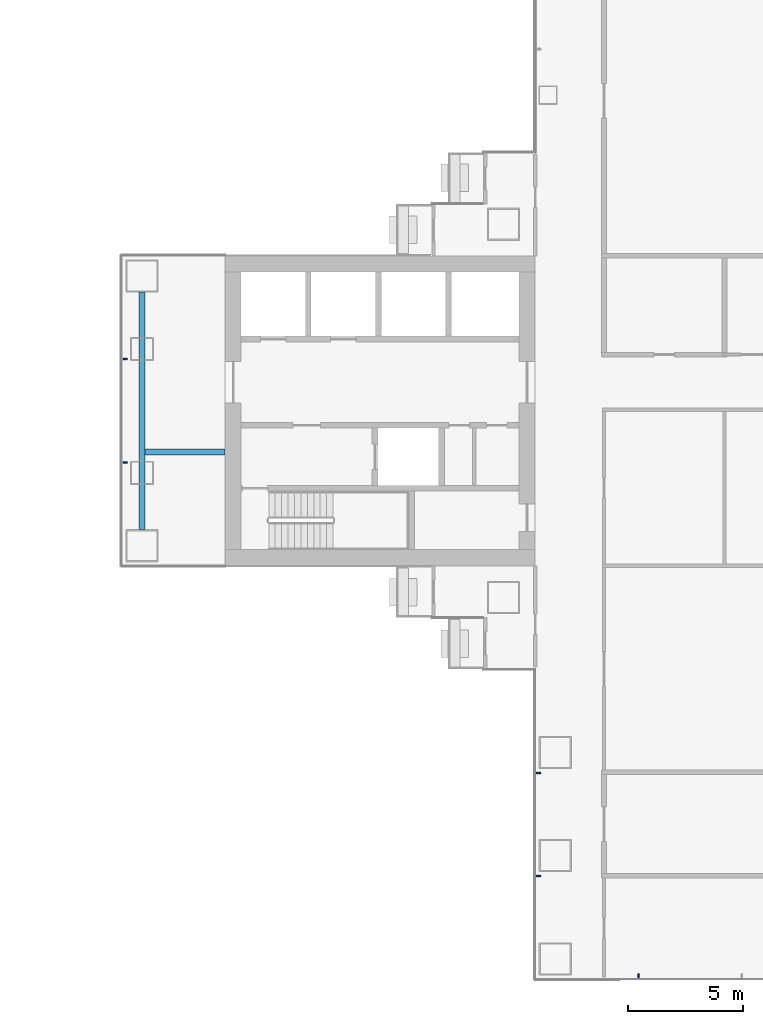
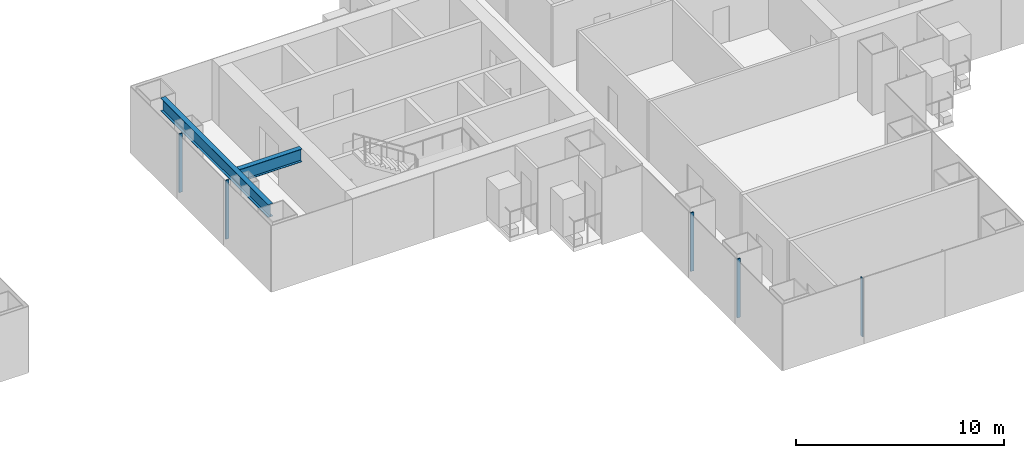
# One storey, part 7 of 22: 5 members, 2 beams, 3 elements without a shape of their own.
"""IFC4 building model written with IfcOpenShell, lengths in metres."""

from ifc_helpers import new_model, si_unit, direction, frame, origin, origin_2d, place, context, subcontext, project, spatial, rectangle, i_section, extrude, material, layer, layer_set, material_profile, profile_set, type_object, element, aggregate, save


model = new_model("IFC4")

# Units and contexts
model_context = context("Model", 3, precision=1e-05, world=origin(), true_north=direction((0.0, 1.0)))
body_context = subcontext(model_context, "Body", "Model", "MODEL_VIEW")
ifc_project = project(units=[si_unit("LENGTHUNIT", "METRE"), si_unit("AREAUNIT", "SQUARE_METRE"), si_unit("VOLUMEUNIT", "CUBIC_METRE"), si_unit("PLANEANGLEUNIT", "RADIAN"), si_unit("MASSUNIT", "GRAM", prefix="KILO")], contexts=[model_context])

# Site, building, storey
site_placement = place(None, origin())
site = spatial("IfcSite", under=ifc_project, at=site_placement, CompositionType="ELEMENT")
building_placement = place(site_placement, origin())
building = spatial("IfcBuilding", under=site, at=building_placement, Name="Shamsa Quay Exchange Towers", CompositionType="ELEMENT")
storey_placement = place(building_placement, frame((0.0, 0.0, 69.300048828125)))
storey = spatial("IfcBuildingStorey", under=building, at=storey_placement, Name="L15", CompositionType="ELEMENT", Elevation=69.300048828125)

# Curtain wall, members
ifc_material_1 = material(Name="Aluminium EN AW-6063 T6, black anodised", Category="aluminium")
ifc_layer = layer(ifc_material_1, 0.280029296875)
ifc_layer_set = layer_set([ifc_layer], Name="CW-1 UNITISED VISION GLASS")
curtain_wall_type = type_object("IfcCurtainWallType", Name="CW-1 UNITISED VISION GLASS", PredefinedType="NOTDEFINED", material=ifc_layer_set)
curtain_wall_1_placement = place(storey_placement, origin())
curtain_wall_1 = element("IfcCurtainWall", 1, at=curtain_wall_1_placement, inside=storey, type_object=curtain_wall_type, Name="CW1 T2-END-V+ L15", PredefinedType="NOTDEFINED")
ifc_material_profile_1 = material_profile(ifc_material_1, rectangle(XDim=0.179931640625, YDim=0.06005859375, at=origin_2d()), Name="MU60x180")
ifc_profile_set_1 = profile_set([ifc_material_profile_1], Name="Aluminium EN AW-6063 T6, black anodised")
member_type = type_object("IfcMemberType", Name="CW1 MULLION 60x180", PredefinedType="MULLION", material=ifc_profile_set_1)
member_1_placement = place(storey_placement, frame((9.14990234375, 2.25, 0.0)))
member_1 = element("IfcMember", 2, at=member_1_placement, type_object=member_type, Name="CW1 mullion", PredefinedType="MULLION", context=body_context, shape_type="SweptSolid", body=[
    extrude(rectangle(XDim=0.179931640625, YDim=0.06005859375, at=origin_2d()), origin(), (0.0, 0.0, 1.0), 3.449951171875),
])
member_2_placement = place(storey_placement, frame((9.14990234375, -2.25, 0.0)))
member_2 = element("IfcMember", 3, at=member_2_placement, type_object=member_type, Name="CW1 mullion", PredefinedType="MULLION", context=body_context, shape_type="SweptSolid", body=[
    extrude(rectangle(XDim=0.179931640625, YDim=0.06005859375, at=origin_2d()), origin(), (0.0, 0.0, 1.0), 3.449951171875),
])
aggregate(curtain_wall_1, [member_1, member_2])

curtain_wall_2_placement = place(storey_placement, origin())
curtain_wall_2 = element("IfcCurtainWall", 4, at=curtain_wall_2_placement, inside=storey, type_object=curtain_wall_type, Name="CW1 T2-FLK-U-N L15", PredefinedType="NOTDEFINED")
member_3_placement = place(storey_placement, frame((27.14990234375, -15.775390625, 0.0)))
member_3 = element("IfcMember", 5, at=member_3_placement, type_object=member_type, Name="CW1 mullion", PredefinedType="MULLION", context=body_context, shape_type="SweptSolid", body=[
    extrude(rectangle(XDim=0.179931640625, YDim=0.06005859375, at=origin_2d()), origin(), (0.0, 0.0, 1.0), 3.449951171875),
])
member_4_placement = place(storey_placement, frame((27.14990234375, -20.2626953125, 0.0)))
member_4 = element("IfcMember", 6, at=member_4_placement, type_object=member_type, Name="CW1 mullion", PredefinedType="MULLION", context=body_context, shape_type="SweptSolid", body=[
    extrude(rectangle(XDim=0.179931640625, YDim=0.06005859375, at=origin_2d()), origin(), (0.0, 0.0, 1.0), 3.449951171875),
])
aggregate(curtain_wall_2, [member_3, member_4])

# Curtain wall, member
curtain_wall_3_placement = place(storey_placement, origin())
curtain_wall_3 = element("IfcCurtainWall", 7, at=curtain_wall_3_placement, inside=storey, type_object=curtain_wall_type, Name="CW1 T2-END-U- L15", PredefinedType="NOTDEFINED")
member_5_placement = place(storey_placement, frame((31.5, -24.60009765625, 0.0), z_axis=(0.0, 0.0, 1.0), x_axis=(0.0, 1.0, 0.0)))
member_5 = element("IfcMember", 8, at=member_5_placement, type_object=member_type, Name="CW1 mullion", PredefinedType="MULLION", context=body_context, shape_type="SweptSolid", body=[
    extrude(rectangle(XDim=0.179931640625, YDim=0.06005859375, at=origin_2d()), origin(), (0.0, 0.0, 1.0), 3.449951171875),
])
aggregate(curtain_wall_3, [member_5])

# Beams
ifc_material_2 = material(Name="Steel S355", Category="steel")
ifc_material_profile_2 = material_profile(ifc_material_2, i_section(OverallWidth=0.26611328125, OverallDepth=0.7578125, WebThickness=0.013916015625, FlangeThickness=0.019287109375, at=origin_2d()), Name="W30x108")
ifc_profile_set_2 = profile_set([ifc_material_profile_2], Name="Steel S355")
beam_type = type_object("IfcBeamType", Name="End-zone beam W30x108", PredefinedType="BEAM", material=ifc_profile_set_2)
beam_1_placement = place(storey_placement, frame((9.875, -5.175048828125, 3.171142578125), z_axis=(0.0, 1.0, 0.0), x_axis=(-1.0, 0.0, 0.0)))
element("IfcBeam", 9, at=beam_1_placement, inside=storey, type_object=beam_type, Name="End beam T2 V+ end zone L15", PredefinedType="BEAM", context=body_context, shape_type="SweptSolid", body=[
    extrude(i_section(OverallWidth=0.26611328125, OverallDepth=0.7578125, WebThickness=0.013916015625, FlangeThickness=0.019287109375, at=origin_2d()), origin(), (0.0, 0.0, 1.0), 10.35009765625),
])
beam_2_placement = place(storey_placement, frame((13.5, -1.800048828125, 3.171142578125), z_axis=(-1.0, 0.0, 0.0), x_axis=(0.0, -1.0, 0.0)))
element("IfcBeam", 10, at=beam_2_placement, inside=storey, type_object=beam_type, Name="Spine beam T2 V+ end zone L15", PredefinedType="BEAM", context=body_context, shape_type="SweptSolid", body=[
    extrude(i_section(OverallWidth=0.26611328125, OverallDepth=0.7578125, WebThickness=0.013916015625, FlangeThickness=0.019287109375, at=origin_2d()), origin(), (0.0, 0.0, 1.0), 3.491943359375),
])

save(model, "model.ifc")
